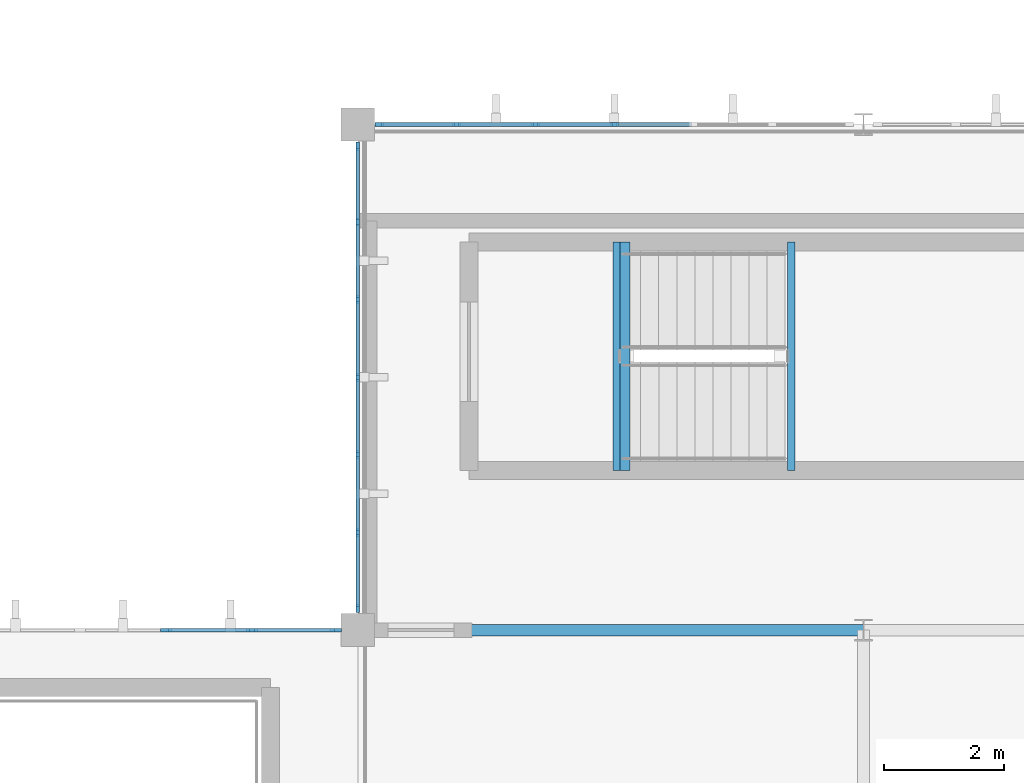
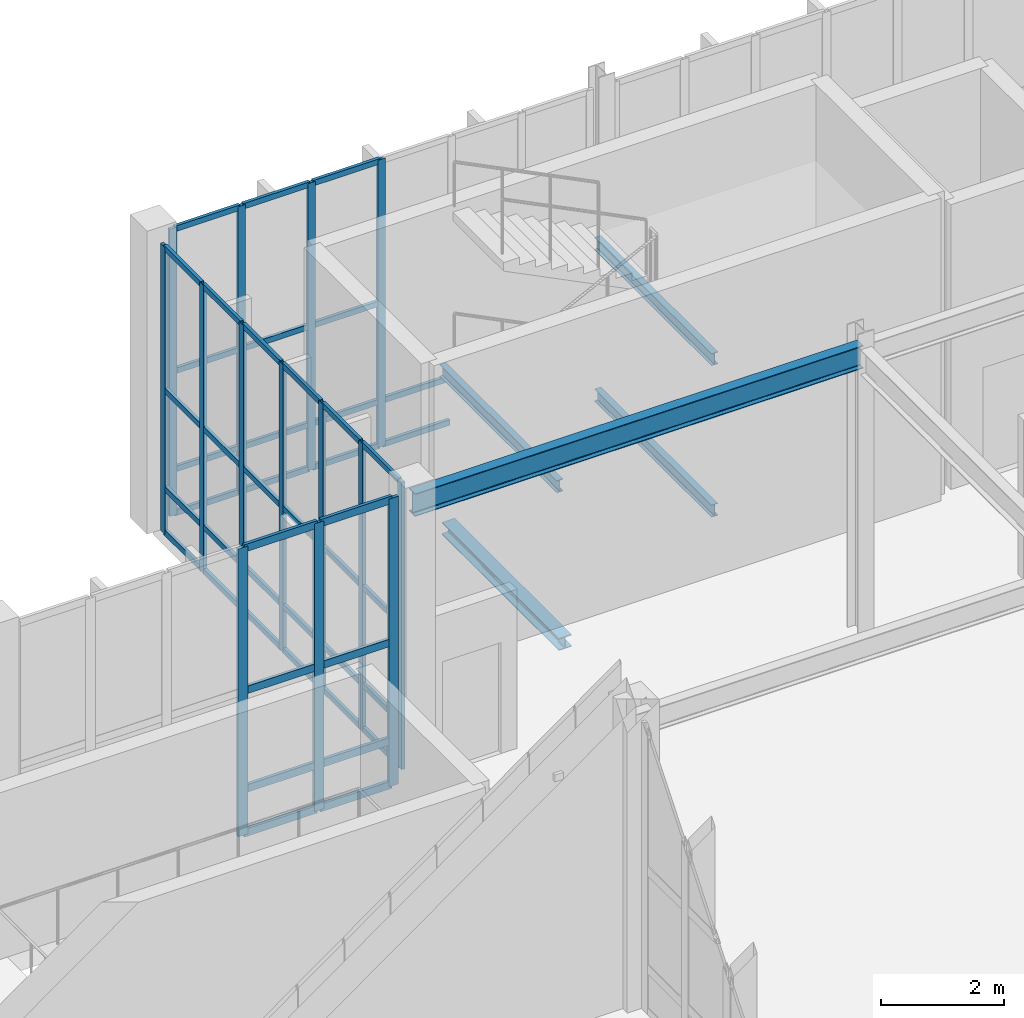
# One storey, part 35 of 105: 60 members, 5 beams, 3 elements without a shape of their own.
"""IFC4 building model written with IfcOpenShell, lengths in metres."""

from ifc_helpers import new_model, si_unit, direction, frame, origin, origin_2d, place, context, subcontext, project, spatial, rectangle, i_section, extrude, material, material_profile, profile_set, type_object, element, aggregate, save


model = new_model("IFC4")

# Units and contexts
model_context = context("Model", 3, precision=1e-05, world=origin(), true_north=direction((0.0, 1.0)))
body_context = subcontext(model_context, "Body", "Model", "MODEL_VIEW")
ifc_project = project(units=[si_unit("LENGTHUNIT", "METRE"), si_unit("AREAUNIT", "SQUARE_METRE"), si_unit("VOLUMEUNIT", "CUBIC_METRE"), si_unit("PLANEANGLEUNIT", "RADIAN"), si_unit("MASSUNIT", "GRAM", prefix="KILO")], contexts=[model_context])

# Site, building, storey
site_placement = place(None, origin())
site = spatial("IfcSite", under=ifc_project, at=site_placement, CompositionType="ELEMENT")
building_placement = place(site_placement, origin())
building = spatial("IfcBuilding", under=site, at=building_placement, Name="Tizgana Railside Sports Hall", CompositionType="ELEMENT")
storey_placement = place(building_placement, frame((0.0, 0.0, 6.0)))
storey = spatial("IfcBuildingStorey", under=building, at=storey_placement, Name="L01", CompositionType="ELEMENT", Elevation=6.0)

# Curtain wall, members
ifc_material_1 = material(Name="Anodised aluminium and glass", Category="aluminium")
curtain_wall_type_1 = type_object("IfcCurtainWallType", Name="Unitised Curtain Wall Clinic 1200", PredefinedType="NOTDEFINED", material=ifc_material_1)
curtain_wall_1_placement = place(storey_placement, origin())
curtain_wall_1 = element("IfcCurtainWall", 1, at=curtain_wall_1_placement, inside=storey, type_object=curtain_wall_type_1, Name="L01 Curtain Wall CW-0036", PredefinedType="NOTDEFINED")
ifc_material_2 = material(Name="Anodised aluminium", Category="aluminium")
ifc_material_profile_1 = material_profile(ifc_material_2, rectangle(XDim=0.06005859375, YDim=0.139892578125, at=origin_2d()), Name="Mullion 60x140")
ifc_profile_set_1 = profile_set([ifc_material_profile_1], Name="Anodised aluminium")
member_type_1 = type_object("IfcMemberType", Name="Mullion 60x140", PredefinedType="MULLION", material=ifc_profile_set_1)
member_1_placement = place(storey_placement, frame((54.9599609375, 88.800048828125, 0.0), z_axis=(0.0, 0.0, 1.0), x_axis=(0.0, 1.0, 0.0)))
member_1 = element("IfcMember", 2, at=member_1_placement, type_object=member_type_1, Name="CW-05 mullion 1", PredefinedType="MULLION", context=body_context, shape_type="SweptSolid", body=[
    extrude(rectangle(XDim=0.06005859375, YDim=0.139892578125, at=origin_2d()), origin(), (0.0, 0.0, 1.0), 5.68994140625),
])
member_2_placement = place(storey_placement, frame((56.24072265625, 88.800048828125, 0.0), z_axis=(0.0, 0.0, 1.0), x_axis=(0.0, 1.0, 0.0)))
member_2 = element("IfcMember", 3, at=member_2_placement, type_object=member_type_1, Name="CW-05 mullion 2", PredefinedType="MULLION", context=body_context, shape_type="SweptSolid", body=[
    extrude(rectangle(XDim=0.06005859375, YDim=0.139892578125, at=origin_2d()), origin(), (0.0, 0.0, 1.0), 5.68994140625),
])
member_3_placement = place(storey_placement, frame((57.5517578125, 88.800048828125, 0.0), z_axis=(0.0, 0.0, 1.0), x_axis=(0.0, 1.0, 0.0)))
member_3 = element("IfcMember", 4, at=member_3_placement, type_object=member_type_1, Name="CW-05 mullion 3", PredefinedType="MULLION", context=body_context, shape_type="SweptSolid", body=[
    extrude(rectangle(XDim=0.06005859375, YDim=0.139892578125, at=origin_2d()), origin(), (0.0, 0.0, 1.0), 5.68994140625),
])
member_4_placement = place(storey_placement, frame((58.862548828125, 88.800048828125, 0.0), z_axis=(0.0, 0.0, 1.0), x_axis=(0.0, 1.0, 0.0)))
member_4 = element("IfcMember", 5, at=member_4_placement, type_object=member_type_1, Name="CW-05 mullion 4", PredefinedType="MULLION", context=body_context, shape_type="SweptSolid", body=[
    extrude(rectangle(XDim=0.06005859375, YDim=0.139892578125, at=origin_2d()), origin(), (0.0, 0.0, 1.0), 5.68994140625),
])

curtain_wall_type_2 = type_object("IfcCurtainWallType", Name="Unitised Curtain Wall Concourse 1500", PredefinedType="NOTDEFINED", material=ifc_material_1)
curtain_wall_2_placement = place(storey_placement, origin())
curtain_wall_2 = element("IfcCurtainWall", 6, at=curtain_wall_2_placement, inside=storey, type_object=curtain_wall_type_2, Name="L01 Curtain Wall CW-0168", PredefinedType="NOTDEFINED")
member_5_placement = place(storey_placement, frame((54.60009765625, 88.43994140625, 0.0), z_axis=(0.0, 0.0, 1.0), x_axis=(1.0, 0.0, 0.0)))
member_5 = element("IfcMember", 7, at=member_5_placement, type_object=member_type_1, Name="CW-01 mullion 1", PredefinedType="MULLION", context=body_context, shape_type="SweptSolid", body=[
    extrude(rectangle(XDim=0.06005859375, YDim=0.139892578125, at=origin_2d()), origin(), (0.0, 0.0, 1.0), 5.68994140625),
])
member_6_placement = place(storey_placement, frame((54.60009765625, 87.179931640625, 0.0), z_axis=(0.0, 0.0, 1.0), x_axis=(1.0, 0.0, 0.0)))
member_6 = element("IfcMember", 8, at=member_6_placement, type_object=member_type_1, Name="CW-01 mullion 2", PredefinedType="MULLION", context=body_context, shape_type="SweptSolid", body=[
    extrude(rectangle(XDim=0.06005859375, YDim=0.139892578125, at=origin_2d()), origin(), (0.0, 0.0, 1.0), 5.68994140625),
])
member_7_placement = place(storey_placement, frame((54.60009765625, 85.889892578125, 0.0), z_axis=(0.0, 0.0, 1.0), x_axis=(1.0, 0.0, 0.0)))
member_7 = element("IfcMember", 9, at=member_7_placement, type_object=member_type_1, Name="CW-01 mullion 3", PredefinedType="MULLION", context=body_context, shape_type="SweptSolid", body=[
    extrude(rectangle(XDim=0.06005859375, YDim=0.139892578125, at=origin_2d()), origin(), (0.0, 0.0, 1.0), 5.68994140625),
])
member_8_placement = place(storey_placement, frame((54.60009765625, 84.60009765625, 0.0), z_axis=(0.0, 0.0, 1.0), x_axis=(1.0, 0.0, 0.0)))
member_8 = element("IfcMember", 10, at=member_8_placement, type_object=member_type_1, Name="CW-01 mullion 4", PredefinedType="MULLION", context=body_context, shape_type="SweptSolid", body=[
    extrude(rectangle(XDim=0.06005859375, YDim=0.139892578125, at=origin_2d()), origin(), (0.0, 0.0, 1.0), 5.68994140625),
])
member_9_placement = place(storey_placement, frame((54.60009765625, 83.31005859375, 0.0), z_axis=(0.0, 0.0, 1.0), x_axis=(1.0, 0.0, 0.0)))
member_9 = element("IfcMember", 11, at=member_9_placement, type_object=member_type_1, Name="CW-01 mullion 5", PredefinedType="MULLION", context=body_context, shape_type="SweptSolid", body=[
    extrude(rectangle(XDim=0.06005859375, YDim=0.139892578125, at=origin_2d()), origin(), (0.0, 0.0, 1.0), 5.68994140625),
])
member_10_placement = place(storey_placement, frame((54.60009765625, 82.02001953125, 0.0), z_axis=(0.0, 0.0, 1.0), x_axis=(1.0, 0.0, 0.0)))
member_10 = element("IfcMember", 12, at=member_10_placement, type_object=member_type_1, Name="CW-01 mullion 6", PredefinedType="MULLION", context=body_context, shape_type="SweptSolid", body=[
    extrude(rectangle(XDim=0.06005859375, YDim=0.139892578125, at=origin_2d()), origin(), (0.0, 0.0, 1.0), 5.68994140625),
])
member_11_placement = place(storey_placement, frame((54.60009765625, 80.760009765625, 0.0), z_axis=(0.0, 0.0, 1.0), x_axis=(1.0, 0.0, 0.0)))
member_11 = element("IfcMember", 13, at=member_11_placement, type_object=member_type_1, Name="CW-01 mullion 7", PredefinedType="MULLION", context=body_context, shape_type="SweptSolid", body=[
    extrude(rectangle(XDim=0.06005859375, YDim=0.139892578125, at=origin_2d()), origin(), (0.0, 0.0, 1.0), 5.68994140625),
])

curtain_wall_type_3 = type_object("IfcCurtainWallType", Name="Unitised Curtain Wall WestHall 1560", PredefinedType="NOTDEFINED", material=ifc_material_1)
curtain_wall_3_placement = place(storey_placement, origin())
curtain_wall_3 = element("IfcCurtainWall", 14, at=curtain_wall_3_placement, inside=storey, type_object=curtain_wall_type_3, Name="L01 Curtain Wall CW-0014", PredefinedType="NOTDEFINED")
ifc_material_profile_2 = material_profile(ifc_material_2, rectangle(XDim=0.06005859375, YDim=0.179931640625, at=origin_2d()), Name="Mullion 60x180")
ifc_profile_set_2 = profile_set([ifc_material_profile_2], Name="Anodised aluminium")
member_type_2 = type_object("IfcMemberType", Name="Mullion 60x180", PredefinedType="MULLION", material=ifc_profile_set_2)
member_12_placement = place(storey_placement, frame((51.4140625, 80.39990234375, 0.0), z_axis=(0.0, 0.0, 1.0), x_axis=(0.0, 1.0, 0.0)))
member_12 = element("IfcMember", 15, at=member_12_placement, type_object=member_type_2, Name="CW-07 mullion 4", PredefinedType="MULLION", context=body_context, shape_type="SweptSolid", body=[
    extrude(rectangle(XDim=0.06005859375, YDim=0.179931640625, at=origin_2d()), origin(), (0.0, 0.0, 1.0), 5.699951171875),
])
member_13_placement = place(storey_placement, frame((52.842041015625, 80.39990234375, 0.0), z_axis=(0.0, 0.0, 1.0), x_axis=(0.0, 1.0, 0.0)))
member_13 = element("IfcMember", 16, at=member_13_placement, type_object=member_type_2, Name="CW-07 mullion 5", PredefinedType="MULLION", context=body_context, shape_type="SweptSolid", body=[
    extrude(rectangle(XDim=0.06005859375, YDim=0.179931640625, at=origin_2d()), origin(), (0.0, 0.0, 1.0), 5.699951171875),
])
member_14_placement = place(storey_placement, frame((54.239990234375, 80.39990234375, 0.0), z_axis=(0.0, 0.0, 1.0), x_axis=(0.0, 1.0, 0.0)))
member_14 = element("IfcMember", 17, at=member_14_placement, type_object=member_type_2, Name="CW-07 mullion 6", PredefinedType="MULLION", context=body_context, shape_type="SweptSolid", body=[
    extrude(rectangle(XDim=0.06005859375, YDim=0.179931640625, at=origin_2d()), origin(), (0.0, 0.0, 1.0), 5.699951171875),
])

# Beams
ifc_material_3 = material(Name="Steel S355J2", Category="steel")
ifc_material_profile_3 = material_profile(ifc_material_3, i_section(OverallWidth=0.1201171875, OverallDepth=0.239990234375, WebThickness=0.006103515625, FlangeThickness=0.009765625, FilletRadius=0.014892578125, at=origin_2d()), Name="IPE 240")
ifc_profile_set_3 = profile_set([ifc_material_profile_3], Name="Steel S355J2")
beam_type_1 = type_object("IfcBeamType", Name="Stair Mid-Landing Header IPE 240", PredefinedType="JOIST", material=ifc_profile_set_3)
for number, where, z_axis, x_axis, name in (
    (18, (61.800048828125, 83.050048828125, 1.177978515625), (0.0, 1.0, 0.0), (-1.0, 0.0, 0.0), "L01 C4 Mid Header 1"),
    (19, (58.89990234375, 83.050048828125, 2.677978515625), (0.0, 1.0, 0.0), (-1.0, 0.0, 0.0), "L01 C4 Mid Header 2"),
    (20, (61.800048828125, 83.050048828125, 4.177978515625), (0.0, 1.0, 0.0), (-1.0, 0.0, 0.0), "L01 C4 Mid Header 3"),
):
    element("IfcBeam", number, at=place(storey_placement, frame(where, z_axis=z_axis, x_axis=x_axis)), inside=storey, type_object=beam_type_1, Name=name, PredefinedType="JOIST", context=body_context, shape_type="SweptSolid", body=[
        extrude(i_section(OverallWidth=0.1201171875, OverallDepth=0.239990234375, WebThickness=0.006103515625, FlangeThickness=0.009765625, FilletRadius=0.014892578125, at=origin_2d()), origin(), (0.0, 0.0, 1.0), 3.800048828125),
    ])
ifc_material_profile_4 = material_profile(ifc_material_3, i_section(OverallWidth=0.239990234375, OverallDepth=0.239990234375, WebThickness=0.010009765625, FlangeThickness=0.01708984375, FilletRadius=0.02099609375, at=origin_2d()), Name="HEB 240")
ifc_profile_set_4 = profile_set([ifc_material_profile_4], Name="Steel S355J2")
beam_type_2 = type_object("IfcBeamType", Name="Steel Beam HEB 240", PredefinedType="BEAM", material=ifc_profile_set_4)
beam_1_placement = place(storey_placement, frame((59.0, 83.050048828125, -0.4619140625), z_axis=(0.0, 1.0, 0.0), x_axis=(-1.0, 0.0, 0.0)))
element("IfcBeam", 21, at=beam_1_placement, inside=storey, type_object=beam_type_2, Name="L01 C4 Landing Header", PredefinedType="BEAM", context=body_context, shape_type="SweptSolid", body=[
    extrude(i_section(OverallWidth=0.239990234375, OverallDepth=0.239990234375, WebThickness=0.010009765625, FlangeThickness=0.01708984375, FilletRadius=0.02099609375, at=origin_2d()), origin(), (0.0, 0.0, 1.0), 3.800048828125),
])
ifc_material_profile_5 = material_profile(ifc_material_3, i_section(OverallWidth=0.18994140625, OverallDepth=0.449951171875, WebThickness=0.009521484375, FlangeThickness=0.0146484375, FilletRadius=0.02099609375, at=origin_2d()), Name="IPE 450")
ifc_profile_set_5 = profile_set([ifc_material_profile_5], Name="Steel S355J2")
beam_type_3 = type_object("IfcBeamType", Name="Steel Beam IPE 450", PredefinedType="BEAM", material=ifc_profile_set_5)
beam_2_placement = place(storey_placement, frame((54.60009765625, 80.39990234375, 5.4609375), z_axis=(1.0, 0.0, 0.0), x_axis=(0.0, 1.0, 0.0)))
element("IfcBeam", 22, at=beam_2_placement, inside=storey, type_object=beam_type_3, Name="L01 BEM-0973", PredefinedType="BEAM", context=body_context, shape_type="SweptSolid", body=[
    extrude(i_section(OverallWidth=0.18994140625, OverallDepth=0.449951171875, WebThickness=0.009521484375, FlangeThickness=0.0146484375, FilletRadius=0.02099609375, at=origin_2d()), origin(), (0.0, 0.0, 1.0), 8.39990234375),
])

# Member
ifc_material_profile_6 = material_profile(ifc_material_2, rectangle(XDim=0.06005859375, YDim=0.110107421875, at=origin_2d()), Name="Transom 60x110")
ifc_profile_set_6 = profile_set([ifc_material_profile_6], Name="Anodised aluminium")
member_type_3 = type_object("IfcMemberType", Name="Transom 60x110", PredefinedType="USERDEFINED", material=ifc_profile_set_6)
member_15_placement = place(storey_placement, frame((54.989990234375, 88.800048828125, 0.030029296875), z_axis=(1.0, 0.0, 0.0), x_axis=(0.0, 1.0, 0.0)))
member_15 = element("IfcMember", 23, at=member_15_placement, type_object=member_type_3, Name="CW-05 transom 1.1", ObjectType="TRANSOM", PredefinedType="USERDEFINED", context=body_context, shape_type="SweptSolid", body=[
    extrude(rectangle(XDim=0.06005859375, YDim=0.110107421875, at=origin_2d()), origin(), (0.0, 0.0, 1.0), 1.220947265625),
])

member_16_placement = place(storey_placement, frame((54.989990234375, 88.800048828125, 0.89990234375), z_axis=(1.0, 0.0, 0.0), x_axis=(0.0, 1.0, 0.0)))
member_16 = element("IfcMember", 24, at=member_16_placement, type_object=member_type_3, Name="CW-05 transom 1.2", ObjectType="TRANSOM", PredefinedType="USERDEFINED", context=body_context, shape_type="SweptSolid", body=[
    extrude(rectangle(XDim=0.06005859375, YDim=0.110107421875, at=origin_2d()), origin(), (0.0, 0.0, 1.0), 1.220947265625),
])

member_17_placement = place(storey_placement, frame((54.989990234375, 88.800048828125, 2.844970703125), z_axis=(1.0, 0.0, 0.0), x_axis=(0.0, 1.0, 0.0)))
member_17 = element("IfcMember", 25, at=member_17_placement, type_object=member_type_3, Name="CW-05 transom 1.3", ObjectType="TRANSOM", PredefinedType="USERDEFINED", context=body_context, shape_type="SweptSolid", body=[
    extrude(rectangle(XDim=0.06005859375, YDim=0.110107421875, at=origin_2d()), origin(), (0.0, 0.0, 1.0), 1.220947265625),
])

member_18_placement = place(storey_placement, frame((54.989990234375, 88.800048828125, 5.659912109375), z_axis=(1.0, 0.0, 0.0), x_axis=(0.0, 1.0, 0.0)))
member_18 = element("IfcMember", 26, at=member_18_placement, type_object=member_type_3, Name="CW-05 transom 1.4", ObjectType="TRANSOM", PredefinedType="USERDEFINED", context=body_context, shape_type="SweptSolid", body=[
    extrude(rectangle(XDim=0.06005859375, YDim=0.110107421875, at=origin_2d()), origin(), (0.0, 0.0, 1.0), 1.220947265625),
])

member_19_placement = place(storey_placement, frame((56.270751953125, 88.800048828125, 0.030029296875), z_axis=(1.0, 0.0, 0.0), x_axis=(0.0, 1.0, 0.0)))
member_19 = element("IfcMember", 27, at=member_19_placement, type_object=member_type_3, Name="CW-05 transom 2.1", ObjectType="TRANSOM", PredefinedType="USERDEFINED", context=body_context, shape_type="SweptSolid", body=[
    extrude(rectangle(XDim=0.06005859375, YDim=0.110107421875, at=origin_2d()), origin(), (0.0, 0.0, 1.0), 1.2509765625),
])

member_20_placement = place(storey_placement, frame((56.270751953125, 88.800048828125, 0.89990234375), z_axis=(1.0, 0.0, 0.0), x_axis=(0.0, 1.0, 0.0)))
member_20 = element("IfcMember", 28, at=member_20_placement, type_object=member_type_3, Name="CW-05 transom 2.2", ObjectType="TRANSOM", PredefinedType="USERDEFINED", context=body_context, shape_type="SweptSolid", body=[
    extrude(rectangle(XDim=0.06005859375, YDim=0.110107421875, at=origin_2d()), origin(), (0.0, 0.0, 1.0), 1.2509765625),
])

member_21_placement = place(storey_placement, frame((56.270751953125, 88.800048828125, 2.844970703125), z_axis=(1.0, 0.0, 0.0), x_axis=(0.0, 1.0, 0.0)))
member_21 = element("IfcMember", 29, at=member_21_placement, type_object=member_type_3, Name="CW-05 transom 2.3", ObjectType="TRANSOM", PredefinedType="USERDEFINED", context=body_context, shape_type="SweptSolid", body=[
    extrude(rectangle(XDim=0.06005859375, YDim=0.110107421875, at=origin_2d()), origin(), (0.0, 0.0, 1.0), 1.2509765625),
])

member_22_placement = place(storey_placement, frame((56.270751953125, 88.800048828125, 5.659912109375), z_axis=(1.0, 0.0, 0.0), x_axis=(0.0, 1.0, 0.0)))
member_22 = element("IfcMember", 30, at=member_22_placement, type_object=member_type_3, Name="CW-05 transom 2.4", ObjectType="TRANSOM", PredefinedType="USERDEFINED", context=body_context, shape_type="SweptSolid", body=[
    extrude(rectangle(XDim=0.06005859375, YDim=0.110107421875, at=origin_2d()), origin(), (0.0, 0.0, 1.0), 1.2509765625),
])

member_23_placement = place(storey_placement, frame((57.581787109375, 88.800048828125, 0.030029296875), z_axis=(1.0, 0.0, 0.0), x_axis=(0.0, 1.0, 0.0)))
member_23 = element("IfcMember", 31, at=member_23_placement, type_object=member_type_3, Name="CW-05 transom 3.1", ObjectType="TRANSOM", PredefinedType="USERDEFINED", context=body_context, shape_type="SweptSolid", body=[
    extrude(rectangle(XDim=0.06005859375, YDim=0.110107421875, at=origin_2d()), origin(), (0.0, 0.0, 1.0), 1.250732421875),
])

member_24_placement = place(storey_placement, frame((57.581787109375, 88.800048828125, 0.89990234375), z_axis=(1.0, 0.0, 0.0), x_axis=(0.0, 1.0, 0.0)))
member_24 = element("IfcMember", 32, at=member_24_placement, type_object=member_type_3, Name="CW-05 transom 3.2", ObjectType="TRANSOM", PredefinedType="USERDEFINED", context=body_context, shape_type="SweptSolid", body=[
    extrude(rectangle(XDim=0.06005859375, YDim=0.110107421875, at=origin_2d()), origin(), (0.0, 0.0, 1.0), 1.250732421875),
])

member_25_placement = place(storey_placement, frame((57.581787109375, 88.800048828125, 2.844970703125), z_axis=(1.0, 0.0, 0.0), x_axis=(0.0, 1.0, 0.0)))
member_25 = element("IfcMember", 33, at=member_25_placement, type_object=member_type_3, Name="CW-05 transom 3.3", ObjectType="TRANSOM", PredefinedType="USERDEFINED", context=body_context, shape_type="SweptSolid", body=[
    extrude(rectangle(XDim=0.06005859375, YDim=0.110107421875, at=origin_2d()), origin(), (0.0, 0.0, 1.0), 1.250732421875),
])

member_26_placement = place(storey_placement, frame((57.581787109375, 88.800048828125, 5.659912109375), z_axis=(1.0, 0.0, 0.0), x_axis=(0.0, 1.0, 0.0)))
member_26 = element("IfcMember", 34, at=member_26_placement, type_object=member_type_3, Name="CW-05 transom 3.4", ObjectType="TRANSOM", PredefinedType="USERDEFINED", context=body_context, shape_type="SweptSolid", body=[
    extrude(rectangle(XDim=0.06005859375, YDim=0.110107421875, at=origin_2d()), origin(), (0.0, 0.0, 1.0), 1.250732421875),
])

member_27_placement = place(storey_placement, frame((58.892578125, 88.800048828125, 0.030029296875), z_axis=(1.0, 0.0, 0.0), x_axis=(0.0, 1.0, 0.0)))
member_27 = element("IfcMember", 35, at=member_27_placement, type_object=member_type_3, Name="CW-05 transom 4.1", ObjectType="TRANSOM", PredefinedType="USERDEFINED", context=body_context, shape_type="SweptSolid", body=[
    extrude(rectangle(XDim=0.06005859375, YDim=0.110107421875, at=origin_2d()), origin(), (0.0, 0.0, 1.0), 1.250732421875),
])

member_28_placement = place(storey_placement, frame((58.892578125, 88.800048828125, 0.89990234375), z_axis=(1.0, 0.0, 0.0), x_axis=(0.0, 1.0, 0.0)))
member_28 = element("IfcMember", 36, at=member_28_placement, type_object=member_type_3, Name="CW-05 transom 4.2", ObjectType="TRANSOM", PredefinedType="USERDEFINED", context=body_context, shape_type="SweptSolid", body=[
    extrude(rectangle(XDim=0.06005859375, YDim=0.110107421875, at=origin_2d()), origin(), (0.0, 0.0, 1.0), 1.250732421875),
])

aggregate(curtain_wall_1, [member_1, member_2, member_3, member_4, member_15, member_16, member_17, member_18, member_19, member_20, member_21, member_22, member_23, member_24, member_25, member_26, member_27, member_28])

member_29_placement = place(storey_placement, frame((54.60009765625, 88.409912109375, 0.030029296875), z_axis=(0.0, -1.0, 0.0), x_axis=(1.0, 0.0, 0.0)))
member_29 = element("IfcMember", 37, at=member_29_placement, type_object=member_type_3, Name="CW-01 transom 1.1", ObjectType="TRANSOM", PredefinedType="USERDEFINED", context=body_context, shape_type="SweptSolid", body=[
    extrude(rectangle(XDim=0.06005859375, YDim=0.110107421875, at=origin_2d()), origin(), (0.0, 0.0, 1.0), 1.199951171875),
])

member_30_placement = place(storey_placement, frame((54.60009765625, 88.409912109375, 0.89990234375), z_axis=(0.0, -1.0, 0.0), x_axis=(1.0, 0.0, 0.0)))
member_30 = element("IfcMember", 38, at=member_30_placement, type_object=member_type_3, Name="CW-01 transom 1.2", ObjectType="TRANSOM", PredefinedType="USERDEFINED", context=body_context, shape_type="SweptSolid", body=[
    extrude(rectangle(XDim=0.06005859375, YDim=0.110107421875, at=origin_2d()), origin(), (0.0, 0.0, 1.0), 1.199951171875),
])

member_31_placement = place(storey_placement, frame((54.60009765625, 88.409912109375, 2.844970703125), z_axis=(0.0, -1.0, 0.0), x_axis=(1.0, 0.0, 0.0)))
member_31 = element("IfcMember", 39, at=member_31_placement, type_object=member_type_3, Name="CW-01 transom 1.3", ObjectType="TRANSOM", PredefinedType="USERDEFINED", context=body_context, shape_type="SweptSolid", body=[
    extrude(rectangle(XDim=0.06005859375, YDim=0.110107421875, at=origin_2d()), origin(), (0.0, 0.0, 1.0), 1.199951171875),
])

member_32_placement = place(storey_placement, frame((54.60009765625, 88.409912109375, 5.659912109375), z_axis=(0.0, -1.0, 0.0), x_axis=(1.0, 0.0, 0.0)))
member_32 = element("IfcMember", 40, at=member_32_placement, type_object=member_type_3, Name="CW-01 transom 1.4", ObjectType="TRANSOM", PredefinedType="USERDEFINED", context=body_context, shape_type="SweptSolid", body=[
    extrude(rectangle(XDim=0.06005859375, YDim=0.110107421875, at=origin_2d()), origin(), (0.0, 0.0, 1.0), 1.199951171875),
])

member_33_placement = place(storey_placement, frame((54.60009765625, 87.14990234375, 0.030029296875), z_axis=(0.0, -1.0, 0.0), x_axis=(1.0, 0.0, 0.0)))
member_33 = element("IfcMember", 41, at=member_33_placement, type_object=member_type_3, Name="CW-01 transom 2.1", ObjectType="TRANSOM", PredefinedType="USERDEFINED", context=body_context, shape_type="SweptSolid", body=[
    extrude(rectangle(XDim=0.06005859375, YDim=0.110107421875, at=origin_2d()), origin(), (0.0, 0.0, 1.0), 1.22998046875),
])

member_34_placement = place(storey_placement, frame((54.60009765625, 87.14990234375, 0.89990234375), z_axis=(0.0, -1.0, 0.0), x_axis=(1.0, 0.0, 0.0)))
member_34 = element("IfcMember", 42, at=member_34_placement, type_object=member_type_3, Name="CW-01 transom 2.2", ObjectType="TRANSOM", PredefinedType="USERDEFINED", context=body_context, shape_type="SweptSolid", body=[
    extrude(rectangle(XDim=0.06005859375, YDim=0.110107421875, at=origin_2d()), origin(), (0.0, 0.0, 1.0), 1.22998046875),
])

member_35_placement = place(storey_placement, frame((54.60009765625, 87.14990234375, 2.844970703125), z_axis=(0.0, -1.0, 0.0), x_axis=(1.0, 0.0, 0.0)))
member_35 = element("IfcMember", 43, at=member_35_placement, type_object=member_type_3, Name="CW-01 transom 2.3", ObjectType="TRANSOM", PredefinedType="USERDEFINED", context=body_context, shape_type="SweptSolid", body=[
    extrude(rectangle(XDim=0.06005859375, YDim=0.110107421875, at=origin_2d()), origin(), (0.0, 0.0, 1.0), 1.22998046875),
])

member_36_placement = place(storey_placement, frame((54.60009765625, 87.14990234375, 5.659912109375), z_axis=(0.0, -1.0, 0.0), x_axis=(1.0, 0.0, 0.0)))
member_36 = element("IfcMember", 44, at=member_36_placement, type_object=member_type_3, Name="CW-01 transom 2.4", ObjectType="TRANSOM", PredefinedType="USERDEFINED", context=body_context, shape_type="SweptSolid", body=[
    extrude(rectangle(XDim=0.06005859375, YDim=0.110107421875, at=origin_2d()), origin(), (0.0, 0.0, 1.0), 1.22998046875),
])

member_37_placement = place(storey_placement, frame((54.60009765625, 85.860107421875, 0.030029296875), z_axis=(0.0, -1.0, 0.0), x_axis=(1.0, 0.0, 0.0)))
member_37 = element("IfcMember", 45, at=member_37_placement, type_object=member_type_3, Name="CW-01 transom 3.1", ObjectType="TRANSOM", PredefinedType="USERDEFINED", context=body_context, shape_type="SweptSolid", body=[
    extrude(rectangle(XDim=0.06005859375, YDim=0.110107421875, at=origin_2d()), origin(), (0.0, 0.0, 1.0), 1.230224609375),
])

member_38_placement = place(storey_placement, frame((54.60009765625, 85.860107421875, 0.89990234375), z_axis=(0.0, -1.0, 0.0), x_axis=(1.0, 0.0, 0.0)))
member_38 = element("IfcMember", 46, at=member_38_placement, type_object=member_type_3, Name="CW-01 transom 3.2", ObjectType="TRANSOM", PredefinedType="USERDEFINED", context=body_context, shape_type="SweptSolid", body=[
    extrude(rectangle(XDim=0.06005859375, YDim=0.110107421875, at=origin_2d()), origin(), (0.0, 0.0, 1.0), 1.230224609375),
])

member_39_placement = place(storey_placement, frame((54.60009765625, 85.860107421875, 2.844970703125), z_axis=(0.0, -1.0, 0.0), x_axis=(1.0, 0.0, 0.0)))
member_39 = element("IfcMember", 47, at=member_39_placement, type_object=member_type_3, Name="CW-01 transom 3.3", ObjectType="TRANSOM", PredefinedType="USERDEFINED", context=body_context, shape_type="SweptSolid", body=[
    extrude(rectangle(XDim=0.06005859375, YDim=0.110107421875, at=origin_2d()), origin(), (0.0, 0.0, 1.0), 1.230224609375),
])

member_40_placement = place(storey_placement, frame((54.60009765625, 85.860107421875, 5.659912109375), z_axis=(0.0, -1.0, 0.0), x_axis=(1.0, 0.0, 0.0)))
member_40 = element("IfcMember", 48, at=member_40_placement, type_object=member_type_3, Name="CW-01 transom 3.4", ObjectType="TRANSOM", PredefinedType="USERDEFINED", context=body_context, shape_type="SweptSolid", body=[
    extrude(rectangle(XDim=0.06005859375, YDim=0.110107421875, at=origin_2d()), origin(), (0.0, 0.0, 1.0), 1.230224609375),
])

member_41_placement = place(storey_placement, frame((54.60009765625, 84.570068359375, 0.030029296875), z_axis=(0.0, -1.0, 0.0), x_axis=(1.0, 0.0, 0.0)))
member_41 = element("IfcMember", 49, at=member_41_placement, type_object=member_type_3, Name="CW-01 transom 4.1", ObjectType="TRANSOM", PredefinedType="USERDEFINED", context=body_context, shape_type="SweptSolid", body=[
    extrude(rectangle(XDim=0.06005859375, YDim=0.110107421875, at=origin_2d()), origin(), (0.0, 0.0, 1.0), 1.22998046875),
])

member_42_placement = place(storey_placement, frame((54.60009765625, 84.570068359375, 0.89990234375), z_axis=(0.0, -1.0, 0.0), x_axis=(1.0, 0.0, 0.0)))
member_42 = element("IfcMember", 50, at=member_42_placement, type_object=member_type_3, Name="CW-01 transom 4.2", ObjectType="TRANSOM", PredefinedType="USERDEFINED", context=body_context, shape_type="SweptSolid", body=[
    extrude(rectangle(XDim=0.06005859375, YDim=0.110107421875, at=origin_2d()), origin(), (0.0, 0.0, 1.0), 1.22998046875),
])

member_43_placement = place(storey_placement, frame((54.60009765625, 84.570068359375, 2.844970703125), z_axis=(0.0, -1.0, 0.0), x_axis=(1.0, 0.0, 0.0)))
member_43 = element("IfcMember", 51, at=member_43_placement, type_object=member_type_3, Name="CW-01 transom 4.3", ObjectType="TRANSOM", PredefinedType="USERDEFINED", context=body_context, shape_type="SweptSolid", body=[
    extrude(rectangle(XDim=0.06005859375, YDim=0.110107421875, at=origin_2d()), origin(), (0.0, 0.0, 1.0), 1.22998046875),
])

member_44_placement = place(storey_placement, frame((54.60009765625, 84.570068359375, 5.659912109375), z_axis=(0.0, -1.0, 0.0), x_axis=(1.0, 0.0, 0.0)))
member_44 = element("IfcMember", 52, at=member_44_placement, type_object=member_type_3, Name="CW-01 transom 4.4", ObjectType="TRANSOM", PredefinedType="USERDEFINED", context=body_context, shape_type="SweptSolid", body=[
    extrude(rectangle(XDim=0.06005859375, YDim=0.110107421875, at=origin_2d()), origin(), (0.0, 0.0, 1.0), 1.22998046875),
])

member_45_placement = place(storey_placement, frame((54.60009765625, 83.280029296875, 0.030029296875), z_axis=(0.0, -1.0, 0.0), x_axis=(1.0, 0.0, 0.0)))
member_45 = element("IfcMember", 53, at=member_45_placement, type_object=member_type_3, Name="CW-01 transom 5.1", ObjectType="TRANSOM", PredefinedType="USERDEFINED", context=body_context, shape_type="SweptSolid", body=[
    extrude(rectangle(XDim=0.06005859375, YDim=0.110107421875, at=origin_2d()), origin(), (0.0, 0.0, 1.0), 1.22998046875),
])

member_46_placement = place(storey_placement, frame((54.60009765625, 83.280029296875, 0.89990234375), z_axis=(0.0, -1.0, 0.0), x_axis=(1.0, 0.0, 0.0)))
member_46 = element("IfcMember", 54, at=member_46_placement, type_object=member_type_3, Name="CW-01 transom 5.2", ObjectType="TRANSOM", PredefinedType="USERDEFINED", context=body_context, shape_type="SweptSolid", body=[
    extrude(rectangle(XDim=0.06005859375, YDim=0.110107421875, at=origin_2d()), origin(), (0.0, 0.0, 1.0), 1.22998046875),
])

member_47_placement = place(storey_placement, frame((54.60009765625, 83.280029296875, 2.844970703125), z_axis=(0.0, -1.0, 0.0), x_axis=(1.0, 0.0, 0.0)))
member_47 = element("IfcMember", 55, at=member_47_placement, type_object=member_type_3, Name="CW-01 transom 5.3", ObjectType="TRANSOM", PredefinedType="USERDEFINED", context=body_context, shape_type="SweptSolid", body=[
    extrude(rectangle(XDim=0.06005859375, YDim=0.110107421875, at=origin_2d()), origin(), (0.0, 0.0, 1.0), 1.22998046875),
])

member_48_placement = place(storey_placement, frame((54.60009765625, 83.280029296875, 5.659912109375), z_axis=(0.0, -1.0, 0.0), x_axis=(1.0, 0.0, 0.0)))
member_48 = element("IfcMember", 56, at=member_48_placement, type_object=member_type_3, Name="CW-01 transom 5.4", ObjectType="TRANSOM", PredefinedType="USERDEFINED", context=body_context, shape_type="SweptSolid", body=[
    extrude(rectangle(XDim=0.06005859375, YDim=0.110107421875, at=origin_2d()), origin(), (0.0, 0.0, 1.0), 1.22998046875),
])

member_49_placement = place(storey_placement, frame((54.60009765625, 81.989990234375, 0.030029296875), z_axis=(0.0, -1.0, 0.0), x_axis=(1.0, 0.0, 0.0)))
member_49 = element("IfcMember", 57, at=member_49_placement, type_object=member_type_3, Name="CW-01 transom 6.1", ObjectType="TRANSOM", PredefinedType="USERDEFINED", context=body_context, shape_type="SweptSolid", body=[
    extrude(rectangle(XDim=0.06005859375, YDim=0.110107421875, at=origin_2d()), origin(), (0.0, 0.0, 1.0), 1.199951171875),
])

member_50_placement = place(storey_placement, frame((54.60009765625, 81.989990234375, 0.89990234375), z_axis=(0.0, -1.0, 0.0), x_axis=(1.0, 0.0, 0.0)))
member_50 = element("IfcMember", 58, at=member_50_placement, type_object=member_type_3, Name="CW-01 transom 6.2", ObjectType="TRANSOM", PredefinedType="USERDEFINED", context=body_context, shape_type="SweptSolid", body=[
    extrude(rectangle(XDim=0.06005859375, YDim=0.110107421875, at=origin_2d()), origin(), (0.0, 0.0, 1.0), 1.199951171875),
])

member_51_placement = place(storey_placement, frame((54.60009765625, 81.989990234375, 2.844970703125), z_axis=(0.0, -1.0, 0.0), x_axis=(1.0, 0.0, 0.0)))
member_51 = element("IfcMember", 59, at=member_51_placement, type_object=member_type_3, Name="CW-01 transom 6.3", ObjectType="TRANSOM", PredefinedType="USERDEFINED", context=body_context, shape_type="SweptSolid", body=[
    extrude(rectangle(XDim=0.06005859375, YDim=0.110107421875, at=origin_2d()), origin(), (0.0, 0.0, 1.0), 1.199951171875),
])

member_52_placement = place(storey_placement, frame((54.60009765625, 81.989990234375, 5.659912109375), z_axis=(0.0, -1.0, 0.0), x_axis=(1.0, 0.0, 0.0)))
member_52 = element("IfcMember", 60, at=member_52_placement, type_object=member_type_3, Name="CW-01 transom 6.4", ObjectType="TRANSOM", PredefinedType="USERDEFINED", context=body_context, shape_type="SweptSolid", body=[
    extrude(rectangle(XDim=0.06005859375, YDim=0.110107421875, at=origin_2d()), origin(), (0.0, 0.0, 1.0), 1.199951171875),
])

aggregate(curtain_wall_2, [member_5, member_6, member_7, member_8, member_9, member_10, member_11, member_29, member_30, member_31, member_32, member_33, member_34, member_35, member_36, member_37, member_38, member_39, member_40, member_41, member_42, member_43, member_44, member_45, member_46, member_47, member_48, member_49, member_50, member_51, member_52])

ifc_material_profile_7 = material_profile(ifc_material_2, rectangle(XDim=0.06005859375, YDim=0.14990234375, at=origin_2d()), Name="Transom 60x150")
ifc_profile_set_7 = profile_set([ifc_material_profile_7], Name="Anodised aluminium")
member_type_4 = type_object("IfcMemberType", Name="Transom 60x150", PredefinedType="USERDEFINED", material=ifc_profile_set_7)
member_53_placement = place(storey_placement, frame((51.444091796875, 80.39990234375, 0.030029296875), z_axis=(1.0, 0.0, 0.0), x_axis=(0.0, 1.0, 0.0)))
member_53 = element("IfcMember", 61, at=member_53_placement, type_object=member_type_4, Name="CW-07 transom 4.1", ObjectType="TRANSOM", PredefinedType="USERDEFINED", context=body_context, shape_type="SweptSolid", body=[
    extrude(rectangle(XDim=0.06005859375, YDim=0.14990234375, at=origin_2d()), origin(), (0.0, 0.0, 1.0), 1.367919921875),
])

member_54_placement = place(storey_placement, frame((51.444091796875, 80.39990234375, 0.89990234375), z_axis=(1.0, 0.0, 0.0), x_axis=(0.0, 1.0, 0.0)))
member_54 = element("IfcMember", 62, at=member_54_placement, type_object=member_type_4, Name="CW-07 transom 4.2", ObjectType="TRANSOM", PredefinedType="USERDEFINED", context=body_context, shape_type="SweptSolid", body=[
    extrude(rectangle(XDim=0.06005859375, YDim=0.14990234375, at=origin_2d()), origin(), (0.0, 0.0, 1.0), 1.367919921875),
])

member_55_placement = place(storey_placement, frame((51.444091796875, 80.39990234375, 2.85009765625), z_axis=(1.0, 0.0, 0.0), x_axis=(0.0, 1.0, 0.0)))
member_55 = element("IfcMember", 63, at=member_55_placement, type_object=member_type_4, Name="CW-07 transom 4.3", ObjectType="TRANSOM", PredefinedType="USERDEFINED", context=body_context, shape_type="SweptSolid", body=[
    extrude(rectangle(XDim=0.06005859375, YDim=0.14990234375, at=origin_2d()), origin(), (0.0, 0.0, 1.0), 1.367919921875),
])

member_56_placement = place(storey_placement, frame((51.444091796875, 80.39990234375, 5.669921875), z_axis=(1.0, 0.0, 0.0), x_axis=(0.0, 1.0, 0.0)))
member_56 = element("IfcMember", 64, at=member_56_placement, type_object=member_type_4, Name="CW-07 transom 4.4", ObjectType="TRANSOM", PredefinedType="USERDEFINED", context=body_context, shape_type="SweptSolid", body=[
    extrude(rectangle(XDim=0.06005859375, YDim=0.14990234375, at=origin_2d()), origin(), (0.0, 0.0, 1.0), 1.367919921875),
])

member_57_placement = place(storey_placement, frame((52.8720703125, 80.39990234375, 0.030029296875), z_axis=(1.0, 0.0, 0.0), x_axis=(0.0, 1.0, 0.0)))
member_57 = element("IfcMember", 65, at=member_57_placement, type_object=member_type_4, Name="CW-07 transom 5.1", ObjectType="TRANSOM", PredefinedType="USERDEFINED", context=body_context, shape_type="SweptSolid", body=[
    extrude(rectangle(XDim=0.06005859375, YDim=0.14990234375, at=origin_2d()), origin(), (0.0, 0.0, 1.0), 1.337890625),
])

member_58_placement = place(storey_placement, frame((52.8720703125, 80.39990234375, 0.89990234375), z_axis=(1.0, 0.0, 0.0), x_axis=(0.0, 1.0, 0.0)))
member_58 = element("IfcMember", 66, at=member_58_placement, type_object=member_type_4, Name="CW-07 transom 5.2", ObjectType="TRANSOM", PredefinedType="USERDEFINED", context=body_context, shape_type="SweptSolid", body=[
    extrude(rectangle(XDim=0.06005859375, YDim=0.14990234375, at=origin_2d()), origin(), (0.0, 0.0, 1.0), 1.337890625),
])

member_59_placement = place(storey_placement, frame((52.8720703125, 80.39990234375, 2.85009765625), z_axis=(1.0, 0.0, 0.0), x_axis=(0.0, 1.0, 0.0)))
member_59 = element("IfcMember", 67, at=member_59_placement, type_object=member_type_4, Name="CW-07 transom 5.3", ObjectType="TRANSOM", PredefinedType="USERDEFINED", context=body_context, shape_type="SweptSolid", body=[
    extrude(rectangle(XDim=0.06005859375, YDim=0.14990234375, at=origin_2d()), origin(), (0.0, 0.0, 1.0), 1.337890625),
])

member_60_placement = place(storey_placement, frame((52.8720703125, 80.39990234375, 5.669921875), z_axis=(1.0, 0.0, 0.0), x_axis=(0.0, 1.0, 0.0)))
member_60 = element("IfcMember", 68, at=member_60_placement, type_object=member_type_4, Name="CW-07 transom 5.4", ObjectType="TRANSOM", PredefinedType="USERDEFINED", context=body_context, shape_type="SweptSolid", body=[
    extrude(rectangle(XDim=0.06005859375, YDim=0.14990234375, at=origin_2d()), origin(), (0.0, 0.0, 1.0), 1.337890625),
])

aggregate(curtain_wall_3, [member_12, member_13, member_14, member_53, member_54, member_55, member_56, member_57, member_58, member_59, member_60])

save(model, "model.ifc")
